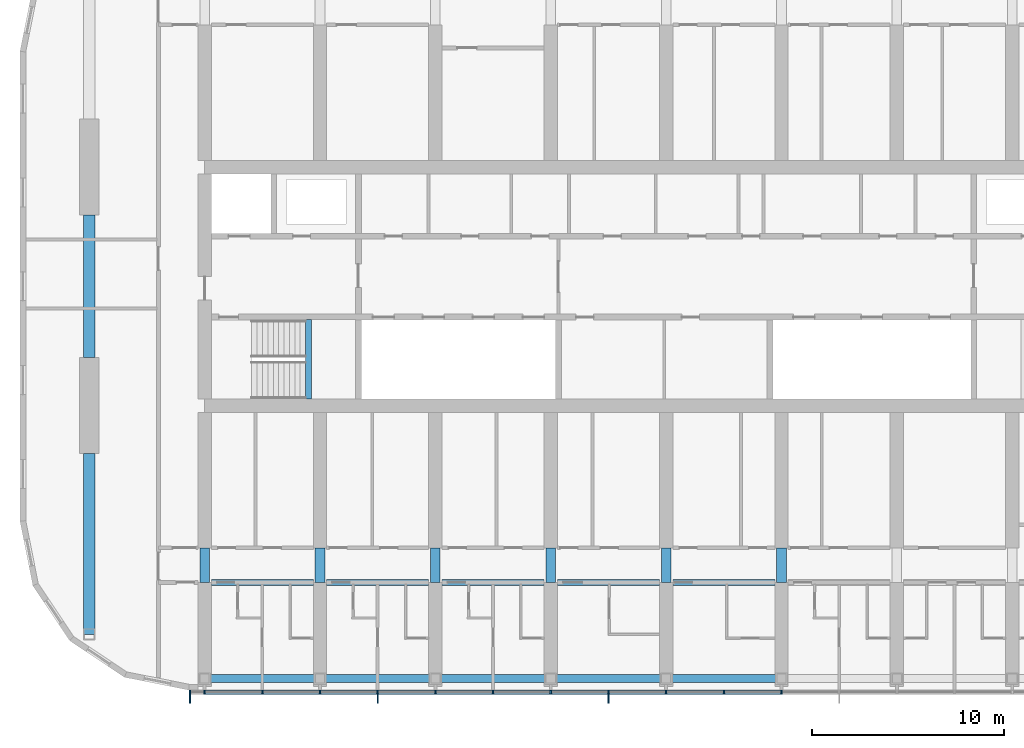
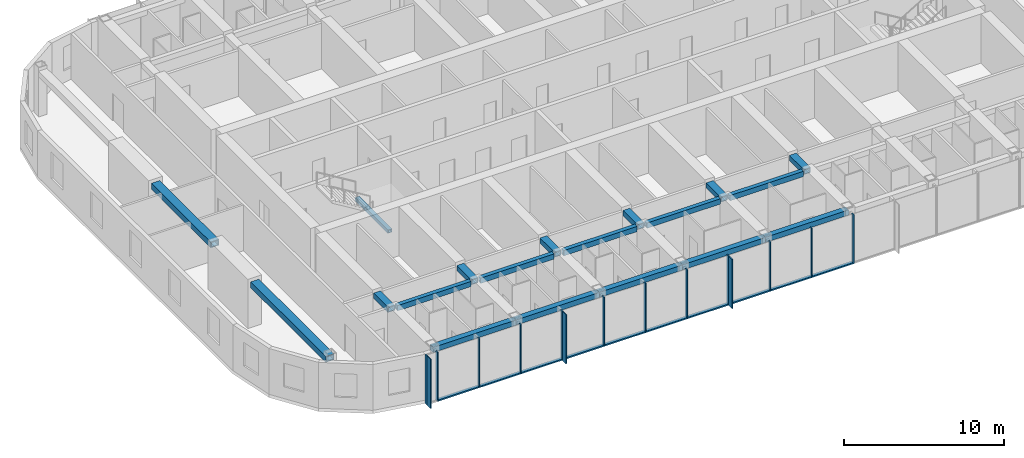
# One storey, part 2 of 24: 25 members, 19 beams, 1 element without a shape of its own.
"""IFC4 building model written with IfcOpenShell, lengths in metres."""

from ifc_helpers import new_model, si_unit, direction, frame, origin, origin_2d, place, context, subcontext, project, spatial, rectangle, hollow_rectangle, extrude, material, material_profile, profile_set, type_object, element, aggregate, save


model = new_model("IFC4")

# Units and contexts
model_context = context("Model", 3, precision=1e-05, world=origin(), true_north=direction((0.0, 1.0)))
body_context = subcontext(model_context, "Body", "Model", "MODEL_VIEW")
ifc_project = project(units=[si_unit("LENGTHUNIT", "METRE"), si_unit("AREAUNIT", "SQUARE_METRE"), si_unit("VOLUMEUNIT", "CUBIC_METRE"), si_unit("PLANEANGLEUNIT", "RADIAN"), si_unit("MASSUNIT", "GRAM", prefix="KILO")], contexts=[model_context])

# Site, building, storey
site_placement = place(None, origin())
site = spatial("IfcSite", under=ifc_project, at=site_placement, CompositionType="ELEMENT")
building_placement = place(site_placement, origin())
building = spatial("IfcBuilding", under=site, at=building_placement, Name="Orbita Commons", CompositionType="ELEMENT")
storey_placement = place(building_placement, frame((0.0, 0.0, 239.050048828125)))
storey = spatial("IfcBuildingStorey", under=building, at=storey_placement, Name="L59", CompositionType="ELEMENT", Elevation=239.050048828125)

# Curtain wall, members
ifc_material_1 = material(Name="Anodised aluminium frame, pale silver", Category="aluminium")
curtain_wall_type = type_object("IfcCurtainWallType", Name="Unitised curtain wall CW-U, full-height vision", PredefinedType="NOTDEFINED", material=ifc_material_1)
curtain_wall_placement = place(storey_placement, origin())
curtain_wall = element("IfcCurtainWall", 1, at=curtain_wall_placement, inside=storey, type_object=curtain_wall_type, Name="Curtain wall south L59", PredefinedType="NOTDEFINED")
ifc_material_2 = material(Name="Anodised aluminium, pale silver", Category="aluminium")
ifc_material_profile_1 = material_profile(ifc_material_2, rectangle(XDim=0.080078125, YDim=0.219970703125, at=origin_2d()), Name="AL 80x220")
ifc_profile_set_1 = profile_set([ifc_material_profile_1], Name="Anodised aluminium, pale silver")
member_type_1 = type_object("IfcMemberType", Name="Curtain wall mullion 80x220", PredefinedType="MULLION", material=ifc_profile_set_1)
member_1_placement = place(storey_placement, frame((17.239990234375, 10.889892578125, -0.25), z_axis=(0.0, 0.0, 1.0), x_axis=(1.0, 0.0, 0.0)))
member_1 = element("IfcMember", 2, at=member_1_placement, type_object=member_type_1, Name="Mullion 1 CW-L59-S", PredefinedType="MULLION", context=body_context, shape_type="SweptSolid", body=[
    extrude(rectangle(XDim=0.080078125, YDim=0.219970703125, at=origin_2d()), origin(), (0.0, 0.0, 1.0), 3.75),
])
member_2_placement = place(storey_placement, frame((18.0, 10.889892578125, -0.25), z_axis=(0.0, 0.0, 1.0), x_axis=(1.0, 0.0, 0.0)))
member_2 = element("IfcMember", 3, at=member_2_placement, type_object=member_type_1, Name="Mullion 2 CW-L59-S", PredefinedType="MULLION", context=body_context, shape_type="SweptSolid", body=[
    extrude(rectangle(XDim=0.080078125, YDim=0.219970703125, at=origin_2d()), origin(), (0.0, 0.0, 1.0), 3.75),
])
member_3_placement = place(storey_placement, frame((21.0, 10.889892578125, -0.25), z_axis=(0.0, 0.0, 1.0), x_axis=(1.0, 0.0, 0.0)))
member_3 = element("IfcMember", 4, at=member_3_placement, type_object=member_type_1, Name="Mullion 3 CW-L59-S", PredefinedType="MULLION", context=body_context, shape_type="SweptSolid", body=[
    extrude(rectangle(XDim=0.080078125, YDim=0.219970703125, at=origin_2d()), origin(), (0.0, 0.0, 1.0), 3.75),
])
member_4_placement = place(storey_placement, frame((24.0, 10.889892578125, -0.25), z_axis=(0.0, 0.0, 1.0), x_axis=(1.0, 0.0, 0.0)))
member_4 = element("IfcMember", 5, at=member_4_placement, type_object=member_type_1, Name="Mullion 4 CW-L59-S", PredefinedType="MULLION", context=body_context, shape_type="SweptSolid", body=[
    extrude(rectangle(XDim=0.080078125, YDim=0.219970703125, at=origin_2d()), origin(), (0.0, 0.0, 1.0), 3.75),
])
member_5_placement = place(storey_placement, frame((27.0, 10.889892578125, -0.25), z_axis=(0.0, 0.0, 1.0), x_axis=(1.0, 0.0, 0.0)))
member_5 = element("IfcMember", 6, at=member_5_placement, type_object=member_type_1, Name="Mullion 5 CW-L59-S", PredefinedType="MULLION", context=body_context, shape_type="SweptSolid", body=[
    extrude(rectangle(XDim=0.080078125, YDim=0.219970703125, at=origin_2d()), origin(), (0.0, 0.0, 1.0), 3.75),
])
member_6_placement = place(storey_placement, frame((30.0, 10.889892578125, -0.25), z_axis=(0.0, 0.0, 1.0), x_axis=(1.0, 0.0, 0.0)))
member_6 = element("IfcMember", 7, at=member_6_placement, type_object=member_type_1, Name="Mullion 6 CW-L59-S", PredefinedType="MULLION", context=body_context, shape_type="SweptSolid", body=[
    extrude(rectangle(XDim=0.080078125, YDim=0.219970703125, at=origin_2d()), origin(), (0.0, 0.0, 1.0), 3.75),
])
member_7_placement = place(storey_placement, frame((33.0, 10.889892578125, -0.25), z_axis=(0.0, 0.0, 1.0), x_axis=(1.0, 0.0, 0.0)))
member_7 = element("IfcMember", 8, at=member_7_placement, type_object=member_type_1, Name="Mullion 7 CW-L59-S", PredefinedType="MULLION", context=body_context, shape_type="SweptSolid", body=[
    extrude(rectangle(XDim=0.080078125, YDim=0.219970703125, at=origin_2d()), origin(), (0.0, 0.0, 1.0), 3.75),
])
member_8_placement = place(storey_placement, frame((36.0, 10.889892578125, -0.25), z_axis=(0.0, 0.0, 1.0), x_axis=(1.0, 0.0, 0.0)))
member_8 = element("IfcMember", 9, at=member_8_placement, type_object=member_type_1, Name="Mullion 8 CW-L59-S", PredefinedType="MULLION", context=body_context, shape_type="SweptSolid", body=[
    extrude(rectangle(XDim=0.080078125, YDim=0.219970703125, at=origin_2d()), origin(), (0.0, 0.0, 1.0), 3.75),
])
member_9_placement = place(storey_placement, frame((39.0, 10.889892578125, -0.25), z_axis=(0.0, 0.0, 1.0), x_axis=(1.0, 0.0, 0.0)))
member_9 = element("IfcMember", 10, at=member_9_placement, type_object=member_type_1, Name="Mullion 9 CW-L59-S", PredefinedType="MULLION", context=body_context, shape_type="SweptSolid", body=[
    extrude(rectangle(XDim=0.080078125, YDim=0.219970703125, at=origin_2d()), origin(), (0.0, 0.0, 1.0), 3.75),
])
member_10_placement = place(storey_placement, frame((42.0, 10.889892578125, -0.25), z_axis=(0.0, 0.0, 1.0), x_axis=(1.0, 0.0, 0.0)))
member_10 = element("IfcMember", 11, at=member_10_placement, type_object=member_type_1, Name="Mullion 10 CW-L59-S", PredefinedType="MULLION", context=body_context, shape_type="SweptSolid", body=[
    extrude(rectangle(XDim=0.080078125, YDim=0.219970703125, at=origin_2d()), origin(), (0.0, 0.0, 1.0), 3.75),
])
member_11_placement = place(storey_placement, frame((45.0, 10.889892578125, -0.25), z_axis=(0.0, 0.0, 1.0), x_axis=(1.0, 0.0, 0.0)))
member_11 = element("IfcMember", 12, at=member_11_placement, type_object=member_type_1, Name="Mullion 11 CW-L59-S", PredefinedType="MULLION", context=body_context, shape_type="SweptSolid", body=[
    extrude(rectangle(XDim=0.080078125, YDim=0.219970703125, at=origin_2d()), origin(), (0.0, 0.0, 1.0), 3.75),
])
member_12_placement = place(storey_placement, frame((48.0, 10.889892578125, -0.25), z_axis=(0.0, 0.0, 1.0), x_axis=(1.0, 0.0, 0.0)))
member_12 = element("IfcMember", 13, at=member_12_placement, type_object=member_type_1, Name="Mullion 12 CW-L59-S", PredefinedType="MULLION", context=body_context, shape_type="SweptSolid", body=[
    extrude(rectangle(XDim=0.080078125, YDim=0.219970703125, at=origin_2d()), origin(), (0.0, 0.0, 1.0), 3.75),
])
ifc_material_3 = material(Name="Anodised aluminium, pale silver", Category="aluminium")
ifc_material_profile_2 = material_profile(ifc_material_3, rectangle(XDim=0.219970703125, YDim=0.10009765625, at=origin_2d()), Name="AL 220x100")
ifc_profile_set_2 = profile_set([ifc_material_profile_2], Name="Anodised aluminium, pale silver")
member_type_2 = type_object("IfcMemberType", Name="Curtain wall stack transom 220x100", PredefinedType="USERDEFINED", material=ifc_profile_set_2)
member_13_placement = place(storey_placement, frame((18.0400390625, 10.889892578125, -0.199951171875), z_axis=(1.0, 0.0, 0.0), x_axis=(0.0, 1.0, 0.0)))
member_13 = element("IfcMember", 14, at=member_13_placement, type_object=member_type_2, Name="Transom 2.1 CW-L59-S", ObjectType="TRANSOM", PredefinedType="USERDEFINED", context=body_context, shape_type="SweptSolid", body=[
    extrude(rectangle(XDim=0.219970703125, YDim=0.10009765625, at=origin_2d()), origin(), (0.0, 0.0, 1.0), 2.919921875),
])
member_14_placement = place(storey_placement, frame((21.0400390625, 10.889892578125, -0.199951171875), z_axis=(1.0, 0.0, 0.0), x_axis=(0.0, 1.0, 0.0)))
member_14 = element("IfcMember", 15, at=member_14_placement, type_object=member_type_2, Name="Transom 3.1 CW-L59-S", ObjectType="TRANSOM", PredefinedType="USERDEFINED", context=body_context, shape_type="SweptSolid", body=[
    extrude(rectangle(XDim=0.219970703125, YDim=0.10009765625, at=origin_2d()), origin(), (0.0, 0.0, 1.0), 2.919921875),
])
member_15_placement = place(storey_placement, frame((24.0400390625, 10.889892578125, -0.199951171875), z_axis=(1.0, 0.0, 0.0), x_axis=(0.0, 1.0, 0.0)))
member_15 = element("IfcMember", 16, at=member_15_placement, type_object=member_type_2, Name="Transom 4.1 CW-L59-S", ObjectType="TRANSOM", PredefinedType="USERDEFINED", context=body_context, shape_type="SweptSolid", body=[
    extrude(rectangle(XDim=0.219970703125, YDim=0.10009765625, at=origin_2d()), origin(), (0.0, 0.0, 1.0), 2.919921875),
])
member_16_placement = place(storey_placement, frame((27.0400390625, 10.889892578125, -0.199951171875), z_axis=(1.0, 0.0, 0.0), x_axis=(0.0, 1.0, 0.0)))
member_16 = element("IfcMember", 17, at=member_16_placement, type_object=member_type_2, Name="Transom 5.1 CW-L59-S", ObjectType="TRANSOM", PredefinedType="USERDEFINED", context=body_context, shape_type="SweptSolid", body=[
    extrude(rectangle(XDim=0.219970703125, YDim=0.10009765625, at=origin_2d()), origin(), (0.0, 0.0, 1.0), 2.919921875),
])
member_17_placement = place(storey_placement, frame((30.0400390625, 10.889892578125, -0.199951171875), z_axis=(1.0, 0.0, 0.0), x_axis=(0.0, 1.0, 0.0)))
member_17 = element("IfcMember", 18, at=member_17_placement, type_object=member_type_2, Name="Transom 6.1 CW-L59-S", ObjectType="TRANSOM", PredefinedType="USERDEFINED", context=body_context, shape_type="SweptSolid", body=[
    extrude(rectangle(XDim=0.219970703125, YDim=0.10009765625, at=origin_2d()), origin(), (0.0, 0.0, 1.0), 2.919921875),
])
member_18_placement = place(storey_placement, frame((33.0400390625, 10.889892578125, -0.199951171875), z_axis=(1.0, 0.0, 0.0), x_axis=(0.0, 1.0, 0.0)))
member_18 = element("IfcMember", 19, at=member_18_placement, type_object=member_type_2, Name="Transom 7.1 CW-L59-S", ObjectType="TRANSOM", PredefinedType="USERDEFINED", context=body_context, shape_type="SweptSolid", body=[
    extrude(rectangle(XDim=0.219970703125, YDim=0.10009765625, at=origin_2d()), origin(), (0.0, 0.0, 1.0), 2.919921875),
])
member_19_placement = place(storey_placement, frame((36.0400390625, 10.889892578125, -0.199951171875), z_axis=(1.0, 0.0, 0.0), x_axis=(0.0, 1.0, 0.0)))
member_19 = element("IfcMember", 20, at=member_19_placement, type_object=member_type_2, Name="Transom 8.1 CW-L59-S", ObjectType="TRANSOM", PredefinedType="USERDEFINED", context=body_context, shape_type="SweptSolid", body=[
    extrude(rectangle(XDim=0.219970703125, YDim=0.10009765625, at=origin_2d()), origin(), (0.0, 0.0, 1.0), 2.919921875),
])
member_20_placement = place(storey_placement, frame((39.0400390625, 10.889892578125, -0.199951171875), z_axis=(1.0, 0.0, 0.0), x_axis=(0.0, 1.0, 0.0)))
member_20 = element("IfcMember", 21, at=member_20_placement, type_object=member_type_2, Name="Transom 9.1 CW-L59-S", ObjectType="TRANSOM", PredefinedType="USERDEFINED", context=body_context, shape_type="SweptSolid", body=[
    extrude(rectangle(XDim=0.219970703125, YDim=0.10009765625, at=origin_2d()), origin(), (0.0, 0.0, 1.0), 2.919921875),
])
member_21_placement = place(storey_placement, frame((42.0400390625, 10.889892578125, -0.199951171875), z_axis=(1.0, 0.0, 0.0), x_axis=(0.0, 1.0, 0.0)))
member_21 = element("IfcMember", 22, at=member_21_placement, type_object=member_type_2, Name="Transom 10.1 CW-L59-S", ObjectType="TRANSOM", PredefinedType="USERDEFINED", context=body_context, shape_type="SweptSolid", body=[
    extrude(rectangle(XDim=0.219970703125, YDim=0.10009765625, at=origin_2d()), origin(), (0.0, 0.0, 1.0), 2.919921875),
])
member_22_placement = place(storey_placement, frame((45.0400390625, 10.889892578125, -0.199951171875), z_axis=(1.0, 0.0, 0.0), x_axis=(0.0, 1.0, 0.0)))
member_22 = element("IfcMember", 23, at=member_22_placement, type_object=member_type_2, Name="Transom 11.1 CW-L59-S", ObjectType="TRANSOM", PredefinedType="USERDEFINED", context=body_context, shape_type="SweptSolid", body=[
    extrude(rectangle(XDim=0.219970703125, YDim=0.10009765625, at=origin_2d()), origin(), (0.0, 0.0, 1.0), 2.919921875),
])

# Beams
ifc_material_4 = material(Name="Steel ASTM A572 Gr 50 welded plate", Category="steel")
ifc_material_profile_3 = material_profile(ifc_material_4, hollow_rectangle(XDim=0.300048828125, YDim=0.25, WallThickness=0.02490234375, at=origin_2d()), Name="BOX 250x300x25")
ifc_profile_set_3 = profile_set([ifc_material_profile_3], Name="Steel ASTM A572 Gr 50 welded plate")
beam_type_1 = type_object("IfcBeamType", Name="Stair landing beam steel BOX 250x300x25", PredefinedType="BEAM", material=ifc_profile_set_3)
beam_1_placement = place(storey_placement, frame((23.39990234375, 26.135009765625, 1.550048828125), z_axis=(0.0, 1.0, 0.0), x_axis=(-1.0, 0.0, 0.0)))
element("IfcBeam", 24, at=beam_1_placement, inside=storey, type_object=beam_type_1, Name="Stair S1 landing beam L59 1", PredefinedType="BEAM", context=body_context, shape_type="SweptSolid", body=[
    extrude(hollow_rectangle(XDim=0.300048828125, YDim=0.25, WallThickness=0.02490234375, at=origin_2d()), origin(), (0.0, 0.0, 1.0), 4.1298828125),
])
ifc_material_5 = material(Name="Steel ASTM A572 Gr 50 welded plate", Category="steel")
ifc_material_profile_4 = material_profile(ifc_material_5, hollow_rectangle(XDim=0.300048828125, YDim=0.39990234375, WallThickness=0.0400390625, at=origin_2d()), Name="BOX 400x300x40")
ifc_profile_set_4 = profile_set([ifc_material_profile_4], Name="Steel ASTM A572 Gr 50 welded plate")
beam_type_2 = type_object("IfcBeamType", Name="Steel corridor link BOX 400x300x40", PredefinedType="BEAM", material=ifc_profile_set_4)
for number, where, z_axis, x_axis, name in (
    (25, (18.35009765625, 16.60009765625, 3.300048828125), (1.0, 0.0, 0.0), (0.0, 1.0, 0.0), "Corridor beam SA 4-5 L59"),
    (26, (24.35009765625, 16.60009765625, 3.300048828125), (1.0, 0.0, 0.0), (0.0, 1.0, 0.0), "Corridor beam SA 5-6 L59"),
    (27, (30.35009765625, 16.60009765625, 3.300048828125), (1.0, 0.0, 0.0), (0.0, 1.0, 0.0), "Corridor beam SA 6-7 L59"),
    (28, (36.35009765625, 16.60009765625, 3.300048828125), (1.0, 0.0, 0.0), (0.0, 1.0, 0.0), "Corridor beam SA 7-8 L59"),
    (29, (42.35009765625, 16.60009765625, 3.300048828125), (1.0, 0.0, 0.0), (0.0, 1.0, 0.0), "Corridor beam SA 8-9 L59"),
):
    element("IfcBeam", number, at=place(storey_placement, frame(where, z_axis=z_axis, x_axis=x_axis)), inside=storey, type_object=beam_type_2, Name=name, PredefinedType="BEAM", context=body_context, shape_type="SweptSolid", body=[
        extrude(hollow_rectangle(XDim=0.300048828125, YDim=0.39990234375, WallThickness=0.0400390625, at=origin_2d()), origin(), (0.0, 0.0, 1.0), 5.2998046875),
    ])
ifc_material_6 = material(Name="Steel ASTM A572 Gr 50 welded plate", Category="steel")
ifc_material_profile_5 = material_profile(ifc_material_6, hollow_rectangle(XDim=0.5, YDim=0.39990234375, WallThickness=0.050048828125, at=origin_2d()), Name="BOX 400x500x50")
ifc_profile_set_5 = profile_set([ifc_material_profile_5], Name="Steel ASTM A572 Gr 50 welded plate")
beam_type_3 = type_object("IfcBeamType", Name="Steel coupling link BOX 400x500x50", PredefinedType="LINTEL", material=ifc_profile_set_5)
for number, where, z_axis, x_axis, name in (
    (30, (18.0, 16.60009765625, 3.300048828125), (0.0, 1.0, 0.0), (-1.0, 0.0, 0.0), "Coupling beam 4 south L59"),
    (31, (24.0, 16.60009765625, 3.300048828125), (0.0, 1.0, 0.0), (-1.0, 0.0, 0.0), "Coupling beam 5 south L59"),
    (32, (30.0, 16.60009765625, 3.300048828125), (0.0, 1.0, 0.0), (-1.0, 0.0, 0.0), "Coupling beam 6 south L59"),
    (33, (36.0, 16.60009765625, 3.300048828125), (0.0, 1.0, 0.0), (-1.0, 0.0, 0.0), "Coupling beam 7 south L59"),
    (34, (42.0, 16.60009765625, 3.300048828125), (0.0, 1.0, 0.0), (-1.0, 0.0, 0.0), "Coupling beam 8 south L59"),
    (35, (48.0, 16.60009765625, 3.300048828125), (0.0, 1.0, 0.0), (-1.0, 0.0, 0.0), "Coupling beam 9 south L59"),
):
    element("IfcBeam", number, at=place(storey_placement, frame(where, z_axis=z_axis, x_axis=x_axis)), inside=storey, type_object=beam_type_3, Name=name, PredefinedType="LINTEL", context=body_context, shape_type="SweptSolid", body=[
        extrude(hollow_rectangle(XDim=0.5, YDim=0.39990234375, WallThickness=0.050048828125, at=origin_2d()), origin(), (0.0, 0.0, 1.0), 1.7998046875),
    ])
ifc_material_7 = material(Name="Steel ASTM A572 Gr 50 welded plate", Category="steel")
ifc_material_profile_6 = material_profile(ifc_material_7, hollow_rectangle(XDim=0.60009765625, YDim=0.449951171875, WallThickness=0.06005859375, at=origin_2d()), Name="BOX 450x600x60")
ifc_profile_set_6 = profile_set([ifc_material_profile_6], Name="Steel ASTM A572 Gr 50 welded plate")
beam_type_4 = type_object("IfcBeamType", Name="Steel end frame link BOX 450x600x60", PredefinedType="BEAM", material=ifc_profile_set_6)
beam_2_placement = place(storey_placement, frame((12.0, 13.89990234375, 3.27490234375), z_axis=(0.0, 1.0, 0.0), x_axis=(-1.0, 0.0, 0.0)))
element("IfcBeam", 36, at=beam_2_placement, inside=storey, type_object=beam_type_4, Name="End frame beam 3 B-C L59", PredefinedType="BEAM", context=body_context, shape_type="SweptSolid", body=[
    extrude(hollow_rectangle(XDim=0.60009765625, YDim=0.449951171875, WallThickness=0.06005859375, at=origin_2d()), origin(), (0.0, 0.0, 1.0), 9.400146484375),
])
beam_3_placement = place(storey_placement, frame((12.0, 28.300048828125, 3.27490234375), z_axis=(0.0, 1.0, 0.0), x_axis=(-1.0, 0.0, 0.0)))
element("IfcBeam", 37, at=beam_3_placement, inside=storey, type_object=beam_type_4, Name="End frame beam 3 C-D L59", PredefinedType="BEAM", context=body_context, shape_type="SweptSolid", body=[
    extrude(hollow_rectangle(XDim=0.60009765625, YDim=0.449951171875, WallThickness=0.06005859375, at=origin_2d()), origin(), (0.0, 0.0, 1.0), 7.39990234375),
])
ifc_material_8 = material(Name="Steel ASTM A572 Gr 50 welded plate", Category="steel")
ifc_material_profile_7 = material_profile(ifc_material_8, hollow_rectangle(XDim=0.39990234375, YDim=0.39990234375, WallThickness=0.0400390625, at=origin_2d()), Name="BOX 400x400x40")
ifc_profile_set_7 = profile_set([ifc_material_profile_7], Name="Steel ASTM A572 Gr 50 welded plate")
beam_type_5 = type_object("IfcBeamType", Name="Steel spandrel BOX 400x400x40", PredefinedType="SPANDREL", material=ifc_profile_set_7)
for number, where, z_axis, x_axis, name in (
    (38, (18.0, 11.60009765625, 3.300048828125), (1.0, 0.0, 0.0), (0.0, 1.0, 0.0), "Spandrel beam B 4-5 L59"),
    (39, (24.0, 11.60009765625, 3.300048828125), (1.0, 0.0, 0.0), (0.0, 1.0, 0.0), "Spandrel beam B 5-6 L59"),
    (40, (30.0, 11.60009765625, 3.300048828125), (1.0, 0.0, 0.0), (0.0, 1.0, 0.0), "Spandrel beam B 6-7 L59"),
    (41, (36.0, 11.60009765625, 3.300048828125), (1.0, 0.0, 0.0), (0.0, 1.0, 0.0), "Spandrel beam B 7-8 L59"),
    (42, (42.0, 11.60009765625, 3.300048828125), (1.0, 0.0, 0.0), (0.0, 1.0, 0.0), "Spandrel beam B 8-9 L59"),
):
    element("IfcBeam", number, at=place(storey_placement, frame(where, z_axis=z_axis, x_axis=x_axis)), inside=storey, type_object=beam_type_5, Name=name, PredefinedType="SPANDREL", context=body_context, shape_type="SweptSolid", body=[
        extrude(hollow_rectangle(XDim=0.39990234375, YDim=0.39990234375, WallThickness=0.0400390625, at=origin_2d()), origin(), (0.0, 0.0, 1.0), 6.0),
    ])

# Member
ifc_material_9 = material(Name="Anodised aluminium, pale silver", Category="aluminium")
ifc_material_profile_8 = material_profile(ifc_material_9, rectangle(XDim=0.06005859375, YDim=0.449951171875, at=origin_2d()), Name="FIN 60x450")
ifc_profile_set_8 = profile_set([ifc_material_profile_8], Name="Anodised aluminium, pale silver")
member_type_3 = type_object("IfcMemberType", Name="Vertical fin 60x450 pale aluminium", PredefinedType="USERDEFINED", material=ifc_profile_set_8)
member_23_placement = place(storey_placement, frame((17.239990234375, 10.554931640625, -0.25), z_axis=(0.0, 0.0, 1.0), x_axis=(1.0, 0.0, 0.0)))
member_23 = element("IfcMember", 43, at=member_23_placement, type_object=member_type_3, Name="Fin 1 CW-L59-S", ObjectType="FIN", PredefinedType="USERDEFINED", context=body_context, shape_type="SweptSolid", body=[
    extrude(rectangle(XDim=0.06005859375, YDim=0.449951171875, at=origin_2d()), origin(), (0.0, 0.0, 1.0), 3.75),
])

member_24_placement = place(storey_placement, frame((27.0, 10.554931640625, -0.25), z_axis=(0.0, 0.0, 1.0), x_axis=(1.0, 0.0, 0.0)))
member_24 = element("IfcMember", 44, at=member_24_placement, type_object=member_type_3, Name="Fin 5 CW-L59-S", ObjectType="FIN", PredefinedType="USERDEFINED", context=body_context, shape_type="SweptSolid", body=[
    extrude(rectangle(XDim=0.06005859375, YDim=0.449951171875, at=origin_2d()), origin(), (0.0, 0.0, 1.0), 3.75),
])

member_25_placement = place(storey_placement, frame((39.0, 10.554931640625, -0.25), z_axis=(0.0, 0.0, 1.0), x_axis=(1.0, 0.0, 0.0)))
member_25 = element("IfcMember", 45, at=member_25_placement, type_object=member_type_3, Name="Fin 9 CW-L59-S", ObjectType="FIN", PredefinedType="USERDEFINED", context=body_context, shape_type="SweptSolid", body=[
    extrude(rectangle(XDim=0.06005859375, YDim=0.449951171875, at=origin_2d()), origin(), (0.0, 0.0, 1.0), 3.75),
])

aggregate(curtain_wall, [member_1, member_23, member_2, member_3, member_4, member_5, member_24, member_6, member_7, member_8, member_9, member_25, member_10, member_11, member_12, member_13, member_14, member_15, member_16, member_17, member_18, member_19, member_20, member_21, member_22])

save(model, "model.ifc")
